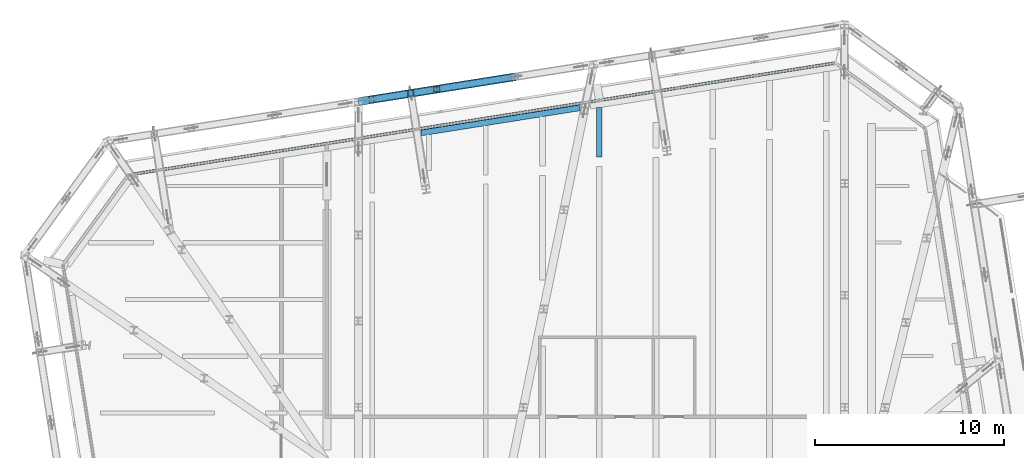
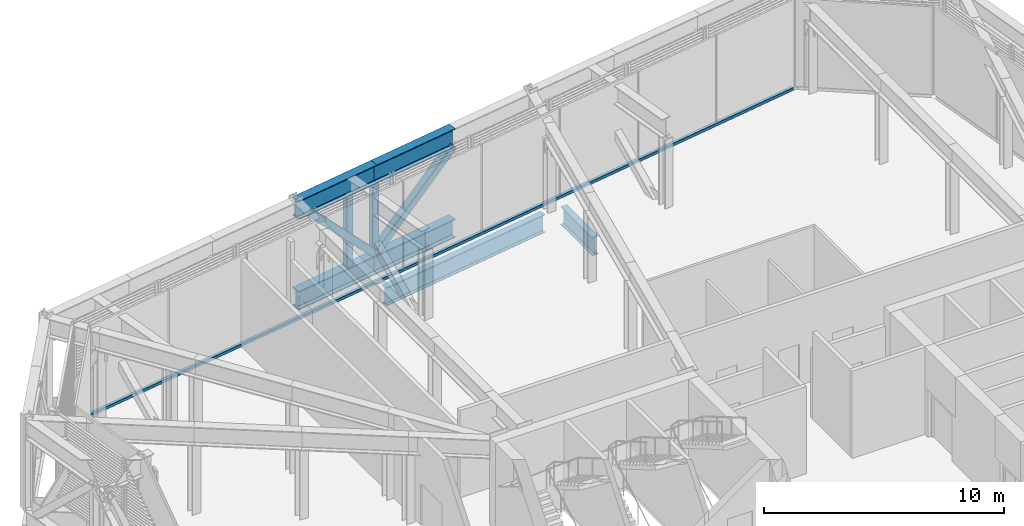
# One storey, part 14 of 35: 6 beams, 5 members, 1 element without a shape of its own.
"""IFC4 building model written with IfcOpenShell, lengths in metres."""

from ifc_helpers import new_model, si_unit, direction, frame, origin, origin_2d, place, context, subcontext, project, spatial, rectangle, hollow_rectangle, i_section, extrude, material, layer, layer_set, material_profile, profile_set, type_object, element, aggregate, save


model = new_model("IFC4")

# Units and contexts
model_context = context("Model", 3, precision=1e-05, world=origin(), true_north=direction((0.0, 1.0)))
body_context = subcontext(model_context, "Body", "Model", "MODEL_VIEW")
ifc_project = project(units=[si_unit("LENGTHUNIT", "METRE"), si_unit("AREAUNIT", "SQUARE_METRE"), si_unit("VOLUMEUNIT", "CUBIC_METRE"), si_unit("PLANEANGLEUNIT", "RADIAN"), si_unit("MASSUNIT", "GRAM", prefix="KILO")], contexts=[model_context])

# Site, building, storey
site_placement = place(None, origin())
site = spatial("IfcSite", under=ifc_project, at=site_placement, CompositionType="ELEMENT")
building_placement = place(site_placement, origin())
building = spatial("IfcBuilding", under=site, at=building_placement, Name="Millrace Tower", CompositionType="ELEMENT")
storey_placement = place(building_placement, frame((0.0, 0.0, 200.10009765625)))
storey = spatial("IfcBuildingStorey", under=building, at=storey_placement, Name="L45", CompositionType="ELEMENT", Elevation=200.10009765625)

# Curtain wall, member
ifc_material_1 = material(Name="Aluminium and glass", Category="aluminium")
ifc_layer = layer(ifc_material_1, 0.14990234375)
ifc_layer_set = layer_set([ifc_layer], Name="Aluminium and glass")
curtain_wall_type = type_object("IfcCurtainWallType", Name="CW-5 truss and plant storey louvred infill", PredefinedType="NOTDEFINED", material=ifc_layer_set)
curtain_wall_placement = place(storey_placement, origin())
curtain_wall = element("IfcCurtainWall", 1, at=curtain_wall_placement, inside=storey, type_object=curtain_wall_type, Name="Curtain wall D-F06 L45", PredefinedType="NOTDEFINED")
ifc_material_2 = material(Name="Aluminium", Category="aluminium")
ifc_material_profile_1 = material_profile(ifc_material_2, rectangle(XDim=0.14990234375, YDim=0.139892578125, at=origin_2d()))
ifc_profile_set_1 = profile_set([ifc_material_profile_1], Name="Aluminium")
member_type_1 = type_object("IfcMemberType", Name="CW-5 truss and plant storey louvred infill transom", PredefinedType="USERDEFINED", material=ifc_profile_set_1)
member_1_placement = place(storey_placement, frame((12.35888671875, 30.48193359375, 0.06982421875), z_axis=(-0.987687829698, -0.156437690685, 0.0), x_axis=(0.156437690685, -0.987687829698, 0.0)))
member_1 = element("IfcMember", 2, at=member_1_placement, type_object=member_type_1, Name="CW5 transom D-F06.1", ObjectType="TRANSOM", PredefinedType="USERDEFINED", context=body_context, shape_type="SweptSolid", body=[
    extrude(rectangle(XDim=0.14990234375, YDim=0.139892578125, at=origin_2d()), origin(), (0.0, 0.0, 1.0), 37.60009765625),
])
aggregate(curtain_wall, [member_1])

# Beams
ifc_material_3 = material(Name="Steel ASTM A992 Grade 50", Category="steel")
ifc_material_profile_2 = material_profile(ifc_material_3, i_section(OverallWidth=0.307373046875, OverallDepth=0.927001953125, WebThickness=0.01953125, FlangeThickness=0.031982421875, FilletRadius=0.01904296875, at=origin_2d()))
ifc_profile_set_2 = profile_set([ifc_material_profile_2], Name="Steel ASTM A992 Grade 50")
beam_type_1 = type_object("IfcBeamType", Name="Floor beam W36x194", PredefinedType="JOIST", material=ifc_profile_set_2)
beam_1_placement = place(storey_placement, frame((0.0, 25.521484375, -0.62353515625), z_axis=(0.0, 1.0, 0.0), x_axis=(-1.0, 0.0, 0.0)))
element("IfcBeam", 3, at=beam_1_placement, inside=storey, type_object=beam_type_1, Name="BM-D-L45-S1-S044-b", PredefinedType="JOIST", context=body_context, shape_type="SweptSolid", body=[
    extrude(i_section(OverallWidth=0.307373046875, OverallDepth=0.927001953125, WebThickness=0.01953125, FlangeThickness=0.031982421875, FilletRadius=0.01904296875, at=origin_2d()), origin(), (0.0, 0.0, 1.0), 2.623779296875),
])
ifc_material_4 = material(Name="Steel ASTM A992 Grade 50", Category="steel")
ifc_material_profile_3 = material_profile(ifc_material_4, i_section(OverallWidth=0.307373046875, OverallDepth=0.927001953125, WebThickness=0.01953125, FlangeThickness=0.031982421875, FilletRadius=0.01904296875, at=origin_2d()))
ifc_profile_set_3 = profile_set([ifc_material_profile_3], Name="Steel ASTM A992 Grade 50")
beam_type_2 = type_object("IfcBeamType", Name="Ring beam short span W36x194", PredefinedType="SPANDREL", material=ifc_profile_set_3)
beam_2_placement = place(storey_placement, frame((-9.414306640625, 26.8017578125, -0.62353515625), z_axis=(0.987689040216, 0.156430047745, 0.0), x_axis=(-0.156430047745, 0.987689040216, 0.0)))
element("IfcBeam", 4, at=beam_2_placement, inside=storey, type_object=beam_type_2, Name="RNG-D-L45-S1-06-b", PredefinedType="SPANDREL", context=body_context, shape_type="SweptSolid", body=[
    extrude(i_section(OverallWidth=0.307373046875, OverallDepth=0.927001953125, WebThickness=0.01953125, FlangeThickness=0.031982421875, FilletRadius=0.01904296875, at=origin_2d()), origin(), (0.0, 0.0, 1.0), 8.501220703125),
])
ifc_material_5 = material(Name="Steel ASTM A992 Grade 50", Category="steel")
ifc_material_profile_4 = material_profile(ifc_material_5, i_section(OverallWidth=0.424072265625, OverallDepth=0.947509765625, WebThickness=0.02392578125, FlangeThickness=0.042724609375, FilletRadius=0.024169921875, at=origin_2d()))
ifc_profile_set_4 = profile_set([ifc_material_profile_4], Name="Steel ASTM A992 Grade 50")
beam_type_3 = type_object("IfcBeamType", Name="Transfer truss chord W36x302", PredefinedType="BEAM", material=ifc_profile_set_4)
for number, where, z_axis, x_axis, name in (
    (5, (-4.436767578125, 29.770751953125, -0.6337890625), (-0.987689328781, -0.156428225752, 0.0), (0.156428225752, -0.987689328781, 0.0), "TRS-L45-R11-B02"),
    (6, (-4.436767578125, 29.770751953125, 3.96630859375), (-0.987689328781, -0.156428225752, 0.0), (0.156428225752, -0.987689328781, 0.0), "TRS-L45-R11-T02"),
):
    element("IfcBeam", number, at=place(storey_placement, frame(where, z_axis=z_axis, x_axis=x_axis)), inside=storey, type_object=beam_type_3, Name=name, PredefinedType="BEAM", context=body_context, shape_type="SweptSolid", body=[
        extrude(i_section(OverallWidth=0.424072265625, OverallDepth=0.947509765625, WebThickness=0.02392578125, FlangeThickness=0.042724609375, FilletRadius=0.024169921875, at=origin_2d()), origin(), (0.0, 0.0, 1.0), 4.199951171875),
    ])
for number, where, z_axis, x_axis, name in (
    (7, (-8.5849609375, 29.11376953125, -0.6337890625), (-0.987690751091, -0.156419245009, 0.0), (0.156419245009, -0.987690751091, 0.0), "TRS-L45-R11-B03"),
    (8, (-8.5849609375, 29.11376953125, 3.96630859375), (-0.987690751091, -0.156419245009, 0.0), (0.156419245009, -0.987690751091, 0.0), "TRS-L45-R11-T03"),
):
    element("IfcBeam", number, at=place(storey_placement, frame(where, z_axis=z_axis, x_axis=x_axis)), inside=storey, type_object=beam_type_3, Name=name, PredefinedType="BEAM", context=body_context, shape_type="SweptSolid", body=[
        extrude(i_section(OverallWidth=0.424072265625, OverallDepth=0.947509765625, WebThickness=0.02392578125, FlangeThickness=0.042724609375, FilletRadius=0.024169921875, at=origin_2d()), origin(), (0.0, 0.0, 1.0), 4.2001953125),
    ])

# Members
ifc_material_6 = material(Name="Steel ASTM A500 Grade C", Category="steel")
ifc_material_profile_5 = material_profile(ifc_material_6, hollow_rectangle(XDim=0.355712890625, YDim=0.355712890625, WallThickness=0.015869140625, InnerFilletRadius=0.008056640625, OuterFilletRadius=0.02392578125, at=origin_2d()))
ifc_profile_set_5 = profile_set([ifc_material_profile_5], Name="Steel ASTM A500 Grade C")
member_type_2 = type_object("IfcMemberType", Name="Transfer truss diagonal HSS14x14x5/8", PredefinedType="BRACE", material=ifc_profile_set_5)
member_2_placement = place(storey_placement, frame((-8.5849609375, 29.11376953125, -0.16015625), z_axis=(0.745271569014, 0.118034594327, 0.656230236244), x_axis=(-0.156428225752, 0.987689328781, 0.0)))
element("IfcMember", 9, at=member_2_placement, inside=storey, type_object=member_type_2, Name="TRS-L45-R11-D02", PredefinedType="BRACE", context=body_context, shape_type="SweptSolid", body=[
    extrude(hollow_rectangle(XDim=0.355712890625, YDim=0.355712890625, WallThickness=0.015869140625, InnerFilletRadius=0.008056640625, OuterFilletRadius=0.02392578125, at=origin_2d()), origin(), (0.0, 0.0, 1.0), 5.56591796875),
])
member_3_placement = place(storey_placement, frame((-8.5849609375, 29.11376953125, -0.16015625), z_axis=(-0.683358074397, -0.108246621531, 0.722014134961), x_axis=(0.156453267504, -0.987685362394, 0.0)))
element("IfcMember", 10, at=member_3_placement, inside=storey, type_object=member_type_2, Name="TRS-L45-R11-D03", PredefinedType="BRACE", context=body_context, shape_type="SweptSolid", body=[
    extrude(hollow_rectangle(XDim=0.355712890625, YDim=0.355712890625, WallThickness=0.015869140625, InnerFilletRadius=0.008056640625, OuterFilletRadius=0.02392578125, at=origin_2d()), origin(), (0.0, 0.0, 1.0), 5.058837890625),
])
ifc_material_7 = material(Name="Steel ASTM A500 Grade C", Category="steel")
ifc_material_profile_6 = material_profile(ifc_material_7, hollow_rectangle(XDim=0.3046875, YDim=0.3046875, WallThickness=0.0126953125, InnerFilletRadius=0.00634765625, OuterFilletRadius=0.01904296875, at=origin_2d()))
ifc_profile_set_6 = profile_set([ifc_material_profile_6], Name="Steel ASTM A500 Grade C")
member_type_3 = type_object("IfcMemberType", Name="Transfer truss post HSS12x12x1/2", PredefinedType="POST", material=ifc_profile_set_6)
for number, where, z_axis, x_axis, name in (
    (11, (-8.5849609375, 29.11376953125, -0.16015625), (0.0, 0.0, 1.0), (1.0, 0.0, 0.0), "TRS-L45-R11-V02"),
    (12, (-9.96240234375, 28.8955078125, -0.16015625), (0.0, 0.0, 1.0), (1.0, 0.0, 0.0), "TRS-L45-B-C-X12-V01"),
):
    element("IfcMember", number, at=place(storey_placement, frame(where, z_axis=z_axis, x_axis=x_axis)), inside=storey, type_object=member_type_3, Name=name, PredefinedType="POST", context=body_context, shape_type="SweptSolid", body=[
        extrude(hollow_rectangle(XDim=0.3046875, YDim=0.3046875, WallThickness=0.0126953125, InnerFilletRadius=0.00634765625, OuterFilletRadius=0.01904296875, at=origin_2d()), origin(), (0.0, 0.0, 1.0), 3.652587890625),
    ])

save(model, "model.ifc")
